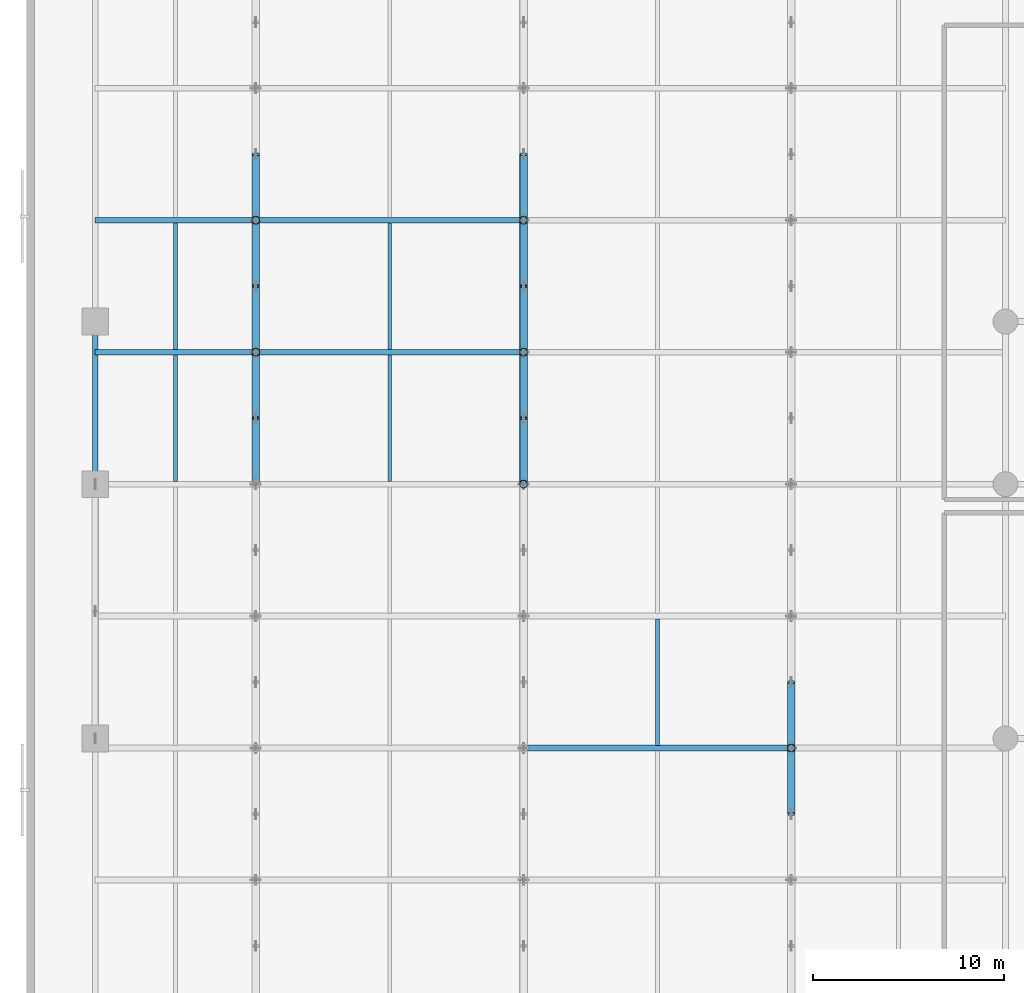
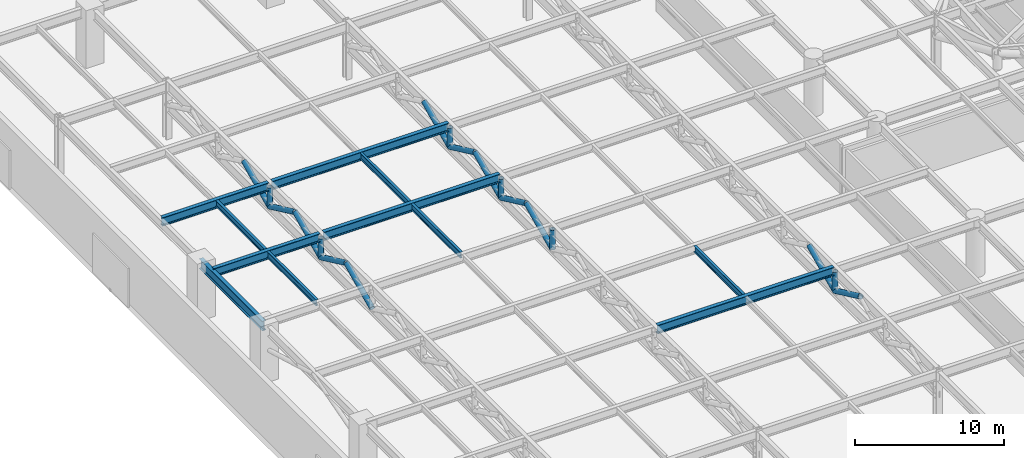
# One storey, part 12 of 40: 18 members, 11 beams.
"""IFC4 building model written with IfcOpenShell, lengths in metres."""

from ifc_helpers import new_model, si_unit, direction, frame, origin, origin_2d, place, context, subcontext, project, spatial, hollow_circle, i_section, extrude, material, material_profile, profile_set, type_object, element, save


model = new_model("IFC4")

# Units and contexts
model_context = context("Model", 3, precision=1e-05, world=origin(), true_north=direction((0.0, 1.0)))
body_context = subcontext(model_context, "Body", "Model", "MODEL_VIEW")
ifc_project = project(units=[si_unit("LENGTHUNIT", "METRE"), si_unit("AREAUNIT", "SQUARE_METRE"), si_unit("VOLUMEUNIT", "CUBIC_METRE"), si_unit("PLANEANGLEUNIT", "RADIAN"), si_unit("MASSUNIT", "GRAM", prefix="KILO")], contexts=[model_context])

# Site, building, storey
site_placement = place(None, origin())
site = spatial("IfcSite", under=ifc_project, at=site_placement, CompositionType="ELEMENT")
building_placement = place(site_placement, origin())
building = spatial("IfcBuilding", under=site, at=building_placement, Name="Narakoshi Arena Tower", CompositionType="ELEMENT")
storey_placement = place(building_placement, frame((0.0, 0.0, 21.60009765625)))
storey = spatial("IfcBuildingStorey", under=building, at=storey_placement, Name="L05", CompositionType="ELEMENT", Elevation=21.60009765625)

# Beams
ifc_material_1 = material(Name="Structural steel S355J2", Category="steel")
ifc_material_profile_1 = material_profile(ifc_material_1, i_section(OverallWidth=0.300048828125, OverallDepth=0.699951171875, WebThickness=0.01708984375, FlangeThickness=0.031982421875, FilletRadius=0.027099609375, at=origin_2d()), Name="HE700B")
ifc_profile_set_1 = profile_set([ifc_material_profile_1], Name="Structural steel S355J2")
beam_type_1 = type_object("IfcBeamType", Name="BM-PRI-700", PredefinedType="BEAM", material=ifc_profile_set_1)
beam_1_placement = place(storey_placement, frame((26.14501953125, 34.199951171875, 4.429931640625), z_axis=(1.0, 0.0, 0.0), x_axis=(0.0, 1.0, 0.0)))
element("IfcBeam", 1, at=beam_1_placement, inside=storey, type_object=beam_type_1, Name="L05 Arena Roof Transverse Girder 2-26", PredefinedType="BEAM", context=body_context, shape_type="SweptSolid", body=[
    extrude(i_section(OverallWidth=0.300048828125, OverallDepth=0.699951171875, WebThickness=0.01708984375, FlangeThickness=0.031982421875, FilletRadius=0.027099609375, at=origin_2d()), origin(), (0.0, 0.0, 1.0), 13.7099609375),
])
beam_2_placement = place(storey_placement, frame((3.60009765625, 54.89990234375, 4.429931640625), z_axis=(1.0, 0.0, 0.0), x_axis=(0.0, 1.0, 0.0)))
element("IfcBeam", 2, at=beam_2_placement, inside=storey, type_object=beam_type_1, Name="L05 Arena Roof Transverse Girder 5-3", PredefinedType="BEAM", context=body_context, shape_type="SweptSolid", body=[
    extrude(i_section(OverallWidth=0.300048828125, OverallDepth=0.699951171875, WebThickness=0.01708984375, FlangeThickness=0.031982421875, FilletRadius=0.027099609375, at=origin_2d()), origin(), (0.0, 0.0, 1.0), 8.2548828125),
])
beam_3_placement = place(storey_placement, frame((12.14501953125, 54.89990234375, 4.429931640625), z_axis=(1.0, 0.0, 0.0), x_axis=(0.0, 1.0, 0.0)))
element("IfcBeam", 3, at=beam_3_placement, inside=storey, type_object=beam_type_1, Name="L05 Arena Roof Transverse Girder 5-12", PredefinedType="BEAM", context=body_context, shape_type="SweptSolid", body=[
    extrude(i_section(OverallWidth=0.300048828125, OverallDepth=0.699951171875, WebThickness=0.01708984375, FlangeThickness=0.031982421875, FilletRadius=0.027099609375, at=origin_2d()), origin(), (0.0, 0.0, 1.0), 13.7099609375),
])
beam_4_placement = place(storey_placement, frame((3.60009765625, 61.800048828125, 4.429931640625), z_axis=(1.0, 0.0, 0.0), x_axis=(0.0, 1.0, 0.0)))
element("IfcBeam", 4, at=beam_4_placement, inside=storey, type_object=beam_type_1, Name="L05 Arena Roof Transverse Girder 6-3", PredefinedType="BEAM", context=body_context, shape_type="SweptSolid", body=[
    extrude(i_section(OverallWidth=0.300048828125, OverallDepth=0.699951171875, WebThickness=0.01708984375, FlangeThickness=0.031982421875, FilletRadius=0.027099609375, at=origin_2d()), origin(), (0.0, 0.0, 1.0), 8.2548828125),
])
beam_5_placement = place(storey_placement, frame((12.14501953125, 61.800048828125, 4.429931640625), z_axis=(1.0, 0.0, 0.0), x_axis=(0.0, 1.0, 0.0)))
element("IfcBeam", 5, at=beam_5_placement, inside=storey, type_object=beam_type_1, Name="L05 Arena Roof Transverse Girder 6-12", PredefinedType="BEAM", context=body_context, shape_type="SweptSolid", body=[
    extrude(i_section(OverallWidth=0.300048828125, OverallDepth=0.699951171875, WebThickness=0.01708984375, FlangeThickness=0.031982421875, FilletRadius=0.027099609375, at=origin_2d()), origin(), (0.0, 0.0, 1.0), 13.7099609375),
])
ifc_material_2 = material(Name="Structural steel S460ML", Category="steel")
ifc_material_profile_2 = material_profile(ifc_material_2, i_section(OverallWidth=0.300048828125, OverallDepth=0.800048828125, WebThickness=0.017578125, FlangeThickness=0.032958984375, FilletRadius=0.030029296875, at=origin_2d()), Name="HE800B")
ifc_profile_set_2 = profile_set([ifc_material_profile_2], Name="Structural steel S460ML")
beam_type_2 = type_object("IfcBeamType", Name="BM-PRI-800", PredefinedType="BEAM", material=ifc_profile_set_2)
beam_6_placement = place(storey_placement, frame((3.60009765625, 48.0, 4.199951171875), z_axis=(0.0, 1.0, 0.0), x_axis=(-1.0, 0.0, 0.0)))
element("IfcBeam", 6, at=beam_6_placement, inside=storey, type_object=beam_type_2, Name="L05 Podium Primary Y-Girder 070", PredefinedType="BEAM", context=body_context, shape_type="SweptSolid", body=[
    extrude(i_section(OverallWidth=0.300048828125, OverallDepth=0.800048828125, WebThickness=0.017578125, FlangeThickness=0.032958984375, FilletRadius=0.030029296875, at=origin_2d()), origin(), (0.0, 0.0, 1.0), 8.5),
])
ifc_material_profile_3 = material_profile(ifc_material_1, i_section(OverallWidth=0.199951171875, OverallDepth=0.5, WebThickness=0.01025390625, FlangeThickness=0.01611328125, FilletRadius=0.02099609375, at=origin_2d()), Name="IPE500")
ifc_profile_set_3 = profile_set([ifc_material_profile_3], Name="Structural steel S355J2")
beam_type_3 = type_object("IfcBeamType", Name="BM-SEC-500", PredefinedType="JOIST", material=ifc_profile_set_3)
beam_7_placement = place(storey_placement, frame((7.800048828125, 48.14501953125, 4.52978515625), z_axis=(0.0, 1.0, 0.0), x_axis=(-1.0, 0.0, 0.0)))
element("IfcBeam", 7, at=beam_7_placement, inside=storey, type_object=beam_type_3, Name="L05 Arena Roof Secondary Joist 3-5", PredefinedType="JOIST", context=body_context, shape_type="SweptSolid", body=[
    extrude(i_section(OverallWidth=0.199951171875, OverallDepth=0.5, WebThickness=0.01025390625, FlangeThickness=0.01611328125, FilletRadius=0.02099609375, at=origin_2d()), origin(), (0.0, 0.0, 1.0), 6.60986328125),
])
beam_8_placement = place(storey_placement, frame((7.800048828125, 55.044921875, 4.52978515625), z_axis=(0.0, 1.0, 0.0), x_axis=(-1.0, 0.0, 0.0)))
element("IfcBeam", 8, at=beam_8_placement, inside=storey, type_object=beam_type_3, Name="L05 Arena Roof Secondary Joist 3-6", PredefinedType="JOIST", context=body_context, shape_type="SweptSolid", body=[
    extrude(i_section(OverallWidth=0.199951171875, OverallDepth=0.5, WebThickness=0.01025390625, FlangeThickness=0.01611328125, FilletRadius=0.02099609375, at=origin_2d()), origin(), (0.0, 0.0, 1.0), 6.610107421875),
])
beam_9_placement = place(storey_placement, frame((19.0, 48.14501953125, 4.52978515625), z_axis=(0.0, 1.0, 0.0), x_axis=(-1.0, 0.0, 0.0)))
element("IfcBeam", 9, at=beam_9_placement, inside=storey, type_object=beam_type_3, Name="L05 Arena Roof Secondary Joist 12-5", PredefinedType="JOIST", context=body_context, shape_type="SweptSolid", body=[
    extrude(i_section(OverallWidth=0.199951171875, OverallDepth=0.5, WebThickness=0.01025390625, FlangeThickness=0.01611328125, FilletRadius=0.02099609375, at=origin_2d()), origin(), (0.0, 0.0, 1.0), 6.60986328125),
])
for number, where, z_axis, x_axis, name in (
    (10, (19.0, 55.044921875, 4.52978515625), (0.0, 1.0, 0.0), (-1.0, 0.0, 0.0), "L05 Arena Roof Secondary Joist 12-6"),
    (11, (33.0, 34.344970703125, 4.52978515625), (0.0, 1.0, 0.0), (-1.0, 0.0, 0.0), "L05 Arena Roof Secondary Joist 26-3"),
):
    element("IfcBeam", number, at=place(storey_placement, frame(where, z_axis=z_axis, x_axis=x_axis)), inside=storey, type_object=beam_type_3, Name=name, PredefinedType="JOIST", context=body_context, shape_type="SweptSolid", body=[
        extrude(i_section(OverallWidth=0.199951171875, OverallDepth=0.5, WebThickness=0.01025390625, FlangeThickness=0.01611328125, FilletRadius=0.02099609375, at=origin_2d()), origin(), (0.0, 0.0, 1.0), 6.610107421875),
    ])

# Members
ifc_material_profile_4 = material_profile(ifc_material_2, hollow_circle(Radius=0.203125, WallThickness=0.01611328125, at=origin_2d()), Name="CHS406x16")
ifc_profile_set_4 = profile_set([ifc_material_profile_4], Name="Structural steel S460ML")
member_type = type_object("IfcMemberType", Name="MEM-ARN-406", PredefinedType="CHORD", material=ifc_profile_set_4)
for number, where, z_axis, x_axis, name in (
    (12, (12.0, 48.0, 2.699951171875), (0.0, 0.904667753866, 0.426117654075), (-1.0, 0.0, 0.0), "L05 Arena Roof Truss 1 Web Diagonal 5A"),
    (13, (12.0, 51.449951171875, 4.324951171875), (0.0, 0.904667753866, -0.426117654075), (-1.0, 0.0, 0.0), "L05 Arena Roof Truss 1 Web Diagonal 5B"),
):
    element("IfcMember", number, at=place(storey_placement, frame(where, z_axis=z_axis, x_axis=x_axis)), inside=storey, type_object=member_type, Name=name, PredefinedType="CHORD", context=body_context, shape_type="SweptSolid", body=[
        extrude(hollow_circle(Radius=0.203125, WallThickness=0.01611328125, at=origin_2d()), origin(), (0.0, 0.0, 1.0), 3.8134765625),
    ])
member_1_placement = place(storey_placement, frame((12.0, 54.89990234375, 2.699951171875), z_axis=(0.0, 0.0, 1.0), x_axis=(1.0, 0.0, 0.0)))
element("IfcMember", 14, at=member_1_placement, inside=storey, type_object=member_type, Name="L05 Arena Roof Truss 1 Web Post 6", PredefinedType="CHORD", context=body_context, shape_type="SweptSolid", body=[
    extrude(hollow_circle(Radius=0.203125, WallThickness=0.01611328125, at=origin_2d()), origin(), (0.0, 0.0, 1.0), 1.625),
])
member_2_placement = place(storey_placement, frame((12.0, 54.89990234375, 2.699951171875), z_axis=(0.0, 0.904679377383, 0.426092975931), x_axis=(-1.0, 0.0, 0.0)))
element("IfcMember", 15, at=member_2_placement, inside=storey, type_object=member_type, Name="L05 Arena Roof Truss 1 Web Diagonal 6A", PredefinedType="CHORD", context=body_context, shape_type="SweptSolid", body=[
    extrude(hollow_circle(Radius=0.203125, WallThickness=0.01611328125, at=origin_2d()), origin(), (0.0, 0.0, 1.0), 3.813720703125),
])
member_3_placement = place(storey_placement, frame((12.0, 58.35009765625, 4.324951171875), z_axis=(0.0, 0.904667753866, -0.426117654075), x_axis=(-1.0, 0.0, 0.0)))
element("IfcMember", 16, at=member_3_placement, inside=storey, type_object=member_type, Name="L05 Arena Roof Truss 1 Web Diagonal 6B", PredefinedType="CHORD", context=body_context, shape_type="SweptSolid", body=[
    extrude(hollow_circle(Radius=0.203125, WallThickness=0.01611328125, at=origin_2d()), origin(), (0.0, 0.0, 1.0), 3.8134765625),
])
member_4_placement = place(storey_placement, frame((12.0, 61.800048828125, 2.699951171875), z_axis=(0.0, 0.0, 1.0), x_axis=(1.0, 0.0, 0.0)))
element("IfcMember", 17, at=member_4_placement, inside=storey, type_object=member_type, Name="L05 Arena Roof Truss 1 Web Post 7", PredefinedType="CHORD", context=body_context, shape_type="SweptSolid", body=[
    extrude(hollow_circle(Radius=0.203125, WallThickness=0.01611328125, at=origin_2d()), origin(), (0.0, 0.0, 1.0), 1.625),
])
member_5_placement = place(storey_placement, frame((12.0, 61.800048828125, 2.699951171875), z_axis=(0.0, 0.904667753866, 0.426117654075), x_axis=(-1.0, 0.0, 0.0)))
element("IfcMember", 18, at=member_5_placement, inside=storey, type_object=member_type, Name="L05 Arena Roof Truss 1 Web Diagonal 7A", PredefinedType="CHORD", context=body_context, shape_type="SweptSolid", body=[
    extrude(hollow_circle(Radius=0.203125, WallThickness=0.01611328125, at=origin_2d()), origin(), (0.0, 0.0, 1.0), 3.8134765625),
])
member_6_placement = place(storey_placement, frame((26.0, 48.0, 2.699951171875), z_axis=(0.0, 0.0, 1.0), x_axis=(1.0, 0.0, 0.0)))
element("IfcMember", 19, at=member_6_placement, inside=storey, type_object=member_type, Name="L05 Arena Roof Truss 2 Web Post 5", PredefinedType="CHORD", context=body_context, shape_type="SweptSolid", body=[
    extrude(hollow_circle(Radius=0.203125, WallThickness=0.01611328125, at=origin_2d()), origin(), (0.0, 0.0, 1.0), 1.625),
])
for number, where, z_axis, x_axis, name in (
    (20, (26.0, 48.0, 2.699951171875), (0.0, 0.904667753866, 0.426117654075), (-1.0, 0.0, 0.0), "L05 Arena Roof Truss 2 Web Diagonal 5A"),
    (21, (26.0, 51.449951171875, 4.324951171875), (0.0, 0.904667753866, -0.426117654075), (-1.0, 0.0, 0.0), "L05 Arena Roof Truss 2 Web Diagonal 5B"),
):
    element("IfcMember", number, at=place(storey_placement, frame(where, z_axis=z_axis, x_axis=x_axis)), inside=storey, type_object=member_type, Name=name, PredefinedType="CHORD", context=body_context, shape_type="SweptSolid", body=[
        extrude(hollow_circle(Radius=0.203125, WallThickness=0.01611328125, at=origin_2d()), origin(), (0.0, 0.0, 1.0), 3.8134765625),
    ])
member_7_placement = place(storey_placement, frame((26.0, 54.89990234375, 2.699951171875), z_axis=(0.0, 0.0, 1.0), x_axis=(1.0, 0.0, 0.0)))
element("IfcMember", 22, at=member_7_placement, inside=storey, type_object=member_type, Name="L05 Arena Roof Truss 2 Web Post 6", PredefinedType="CHORD", context=body_context, shape_type="SweptSolid", body=[
    extrude(hollow_circle(Radius=0.203125, WallThickness=0.01611328125, at=origin_2d()), origin(), (0.0, 0.0, 1.0), 1.625),
])
member_8_placement = place(storey_placement, frame((26.0, 54.89990234375, 2.699951171875), z_axis=(0.0, 0.904679377383, 0.426092975931), x_axis=(-1.0, 0.0, 0.0)))
element("IfcMember", 23, at=member_8_placement, inside=storey, type_object=member_type, Name="L05 Arena Roof Truss 2 Web Diagonal 6A", PredefinedType="CHORD", context=body_context, shape_type="SweptSolid", body=[
    extrude(hollow_circle(Radius=0.203125, WallThickness=0.01611328125, at=origin_2d()), origin(), (0.0, 0.0, 1.0), 3.813720703125),
])
member_9_placement = place(storey_placement, frame((26.0, 58.35009765625, 4.324951171875), z_axis=(0.0, 0.904667753866, -0.426117654075), x_axis=(-1.0, 0.0, 0.0)))
element("IfcMember", 24, at=member_9_placement, inside=storey, type_object=member_type, Name="L05 Arena Roof Truss 2 Web Diagonal 6B", PredefinedType="CHORD", context=body_context, shape_type="SweptSolid", body=[
    extrude(hollow_circle(Radius=0.203125, WallThickness=0.01611328125, at=origin_2d()), origin(), (0.0, 0.0, 1.0), 3.8134765625),
])
member_10_placement = place(storey_placement, frame((26.0, 61.800048828125, 2.699951171875), z_axis=(0.0, 0.0, 1.0), x_axis=(1.0, 0.0, 0.0)))
element("IfcMember", 25, at=member_10_placement, inside=storey, type_object=member_type, Name="L05 Arena Roof Truss 2 Web Post 7", PredefinedType="CHORD", context=body_context, shape_type="SweptSolid", body=[
    extrude(hollow_circle(Radius=0.203125, WallThickness=0.01611328125, at=origin_2d()), origin(), (0.0, 0.0, 1.0), 1.625),
])
for number, where, z_axis, x_axis, name in (
    (26, (26.0, 61.800048828125, 2.699951171875), (0.0, 0.904667753866, 0.426117654075), (-1.0, 0.0, 0.0), "L05 Arena Roof Truss 2 Web Diagonal 7A"),
    (27, (40.0, 30.75, 4.324951171875), (0.0, 0.904667753866, -0.426117654075), (-1.0, 0.0, 0.0), "L05 Arena Roof Truss 3 Web Diagonal 2B"),
):
    element("IfcMember", number, at=place(storey_placement, frame(where, z_axis=z_axis, x_axis=x_axis)), inside=storey, type_object=member_type, Name=name, PredefinedType="CHORD", context=body_context, shape_type="SweptSolid", body=[
        extrude(hollow_circle(Radius=0.203125, WallThickness=0.01611328125, at=origin_2d()), origin(), (0.0, 0.0, 1.0), 3.8134765625),
    ])
member_11_placement = place(storey_placement, frame((40.0, 34.199951171875, 2.699951171875), z_axis=(0.0, 0.0, 1.0), x_axis=(1.0, 0.0, 0.0)))
element("IfcMember", 28, at=member_11_placement, inside=storey, type_object=member_type, Name="L05 Arena Roof Truss 3 Web Post 3", PredefinedType="CHORD", context=body_context, shape_type="SweptSolid", body=[
    extrude(hollow_circle(Radius=0.203125, WallThickness=0.01611328125, at=origin_2d()), origin(), (0.0, 0.0, 1.0), 1.625),
])
member_12_placement = place(storey_placement, frame((40.0, 34.199951171875, 2.699951171875), z_axis=(0.0, 0.904667753866, 0.426117654075), x_axis=(-1.0, 0.0, 0.0)))
element("IfcMember", 29, at=member_12_placement, inside=storey, type_object=member_type, Name="L05 Arena Roof Truss 3 Web Diagonal 3A", PredefinedType="CHORD", context=body_context, shape_type="SweptSolid", body=[
    extrude(hollow_circle(Radius=0.203125, WallThickness=0.01611328125, at=origin_2d()), origin(), (0.0, 0.0, 1.0), 3.8134765625),
])

save(model, "model.ifc")
